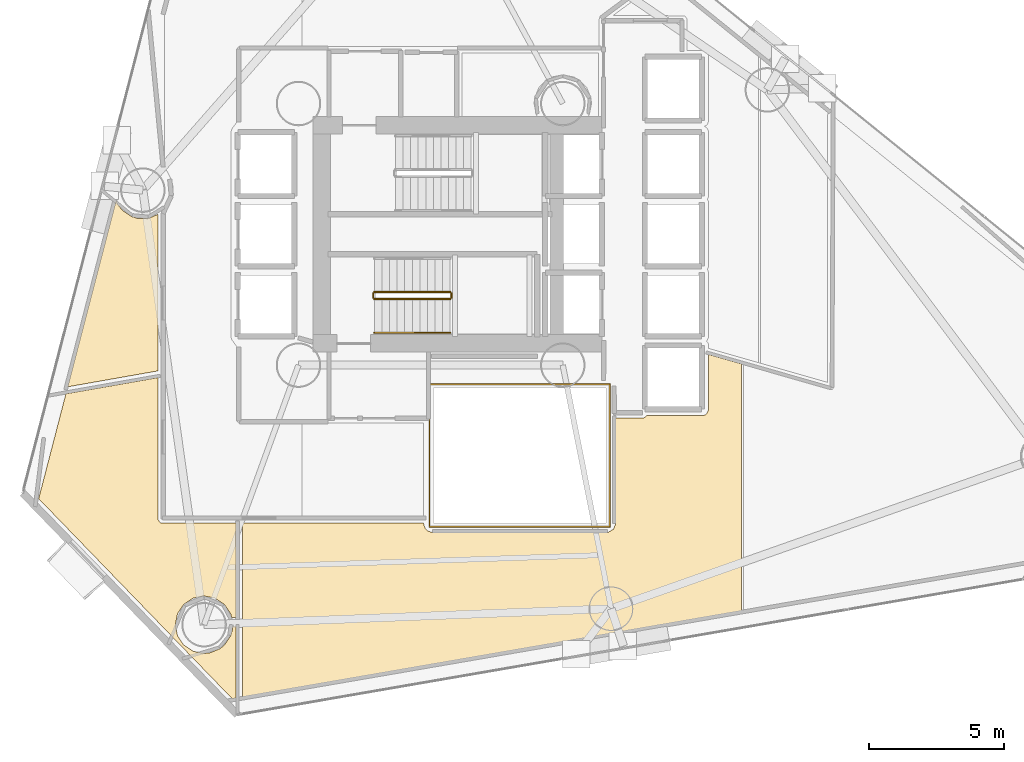
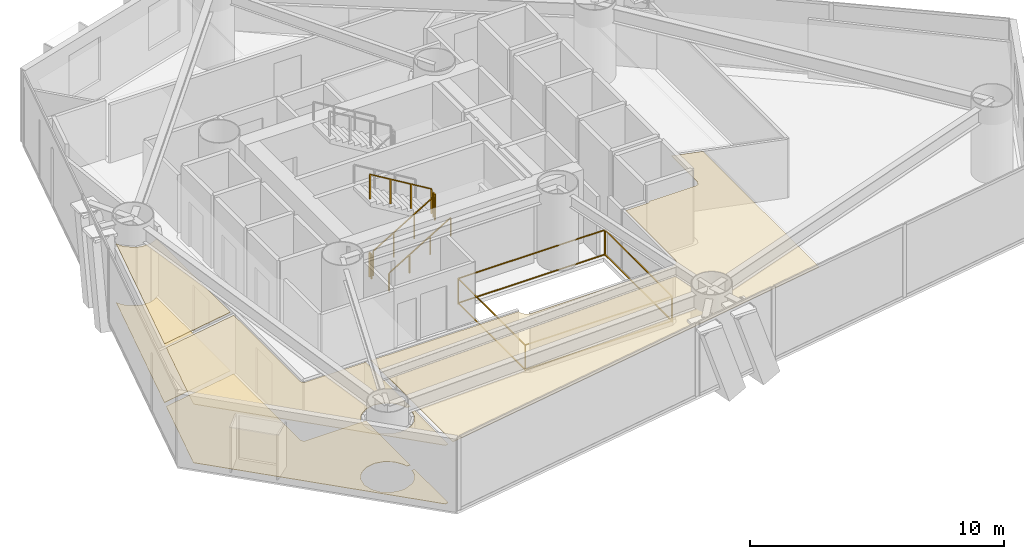
# One storey, part 20 of 23: 6 railings, 5 coverings.
"""IFC4 building model written with IfcOpenShell, lengths in metres."""

from ifc_helpers import new_model, si_unit, direction, frame, origin, origin_2d, place, context, subcontext, project, spatial, polyline, rectangle, outline, extrude, material, layer, layer_set, type_object, element, save


model = new_model("IFC4")

# Units and contexts
model_context = context("Model", 3, precision=1e-05, world=origin(), true_north=direction((0.0, 1.0)))
body_context = subcontext(model_context, "Body", "Model", "MODEL_VIEW")
ifc_project = project(units=[si_unit("LENGTHUNIT", "METRE"), si_unit("AREAUNIT", "SQUARE_METRE"), si_unit("VOLUMEUNIT", "CUBIC_METRE"), si_unit("PLANEANGLEUNIT", "RADIAN"), si_unit("MASSUNIT", "GRAM", prefix="KILO")], contexts=[model_context])

# Site, building, storey
site_placement = place(None, origin())
site = spatial("IfcSite", under=ifc_project, at=site_placement, CompositionType="ELEMENT")
building_placement = place(site_placement, origin())
building = spatial("IfcBuilding", under=site, at=building_placement, Name="Qianvela Tower", CompositionType="ELEMENT")
storey_placement = place(building_placement, frame((0.0, 0.0, 82.10009765625)))
storey = spatial("IfcBuildingStorey", under=building, at=storey_placement, Name="L20", CompositionType="ELEMENT", Elevation=82.10009765625)

# Coverings
ifc_material_1 = material(Name="Perforated Mineral Acoustic Ceiling Tile")
ifc_layer_1 = layer(ifc_material_1, 0.02490234375)
ifc_layer_set_1 = layer_set([ifc_layer_1], Name="Perforated Mineral Acoustic Ceiling Tile")
covering_type_1 = type_object("IfcCoveringType", Name="COV-CEIL-ACOUSTIC-25", PredefinedType="CEILING", material=ifc_layer_set_1)
covering_1_placement = place(storey_placement, frame((0.0, 0.0, 2.81494140625)))
element("IfcCovering", 1, at=covering_1_placement, inside=storey, type_object=covering_type_1, Name="L20 Acoustic Ceiling Debate Lecture Classroom L20-01", PredefinedType="CEILING", context=body_context, shape_type="SweptSolid", body=[
    extrude(outline(polyline([(23.452880859375, 18.031494140625), (23.45751953125, 18.025390625), (23.462890625, 18.01953125), (23.468505859375, 18.014404296875), (23.474853515625, 18.009521484375), (23.481689453125, 18.005615234375), (23.48876953125, 18.002197265625), (23.49609375, 17.99951171875), (23.503662109375, 17.99755859375), (23.511474609375, 17.99658203125), (23.519287109375, 17.99609375), (26.288330078125, 17.994384765625), (26.288330078125, 14.494140625), (26.1259765625, 14.49365234375), (26.086669921875, 14.625), (26.083984375, 14.63232421875), (26.08056640625, 14.6396484375), (26.076416015625, 14.646484375), (25.863037109375, 14.9658203125), (25.8583984375, 14.972412109375), (25.85302734375, 14.97802734375), (25.847412109375, 14.9833984375), (25.8408203125, 14.988037109375), (25.521484375, 15.201416015625), (25.5146484375, 15.20556640625), (25.507568359375, 15.208984375), (25.500244140625, 15.211669921875), (25.49267578125, 15.21337890625), (25.115478515625, 15.28857421875), (25.10791015625, 15.28955078125), (25.10009765625, 15.2900390625), (25.09228515625, 15.28955078125), (25.08447265625, 15.28857421875), (24.70751953125, 15.21337890625), (24.69970703125, 15.211669921875), (24.6923828125, 15.208984375), (24.685302734375, 15.20556640625), (24.6787109375, 15.201416015625), (24.359130859375, 14.988037109375), (24.352783203125, 14.9833984375), (24.346923828125, 14.97802734375), (24.341796875, 14.972412109375), (24.3369140625, 14.9658203125), (24.12353515625, 14.646484375), (24.119384765625, 14.6396484375), (24.1162109375, 14.632568359375), (24.11328125, 14.625244140625), (24.111572265625, 14.61767578125), (24.03662109375, 14.240478515625), (24.035400390625, 14.23291015625), (24.034912109375, 14.22509765625), (24.035400390625, 14.21728515625), (24.03662109375, 14.20947265625), (24.111572265625, 13.83251953125), (24.11328125, 13.82470703125), (24.1162109375, 13.8173828125), (24.119384765625, 13.810302734375), (24.12353515625, 13.8037109375), (24.3369140625, 13.484130859375), (24.341796875, 13.477783203125), (24.346923828125, 13.471923828125), (24.352783203125, 13.466796875), (24.359130859375, 13.4619140625), (24.6787109375, 13.24853515625), (24.685302734375, 13.244384765625), (24.6923828125, 13.2412109375), (24.69970703125, 13.23828125), (24.70751953125, 13.236572265625), (25.08447265625, 13.16162109375), (25.09228515625, 13.160400390625), (25.10009765625, 13.159912109375), (25.10791015625, 13.160400390625), (25.300048828125, 13.17919921875), (25.307861328125, 13.180419921875), (25.3154296875, 13.182373046875), (25.32275390625, 13.18505859375), (25.677978515625, 13.33203125), (25.684814453125, 13.33544921875), (25.691650390625, 13.339599609375), (25.697998046875, 13.34423828125), (25.847412109375, 13.466796875), (25.85302734375, 13.471923828125), (25.8583984375, 13.477783203125), (25.863037109375, 13.484130859375), (26.076416015625, 13.8037109375), (26.08056640625, 13.810302734375), (26.083984375, 13.8173828125), (26.086669921875, 13.82470703125), (26.142578125, 14.009521484375), (26.14453125, 14.017578125), (26.145751953125, 14.025634765625), (26.1572265625, 14.15380859375), (26.288330078125, 14.154052734375), (26.288330078125, 11.50830078125), (26.14111328125, 11.48291015625), (18.96630859375, 18.8984375), (19.97607421875, 22.7861328125), (23.389892578125, 23.38818359375), (23.389892578125, 18.14990234375), (23.390380859375, 18.14208984375), (23.3916015625, 18.134521484375), (23.393310546875, 18.126708984375), (23.39599609375, 18.119384765625), (23.3994140625, 18.1123046875), (23.403564453125, 18.105712890625), (23.452880859375, 18.031494140625)])), origin(), (0.0, 0.0, 1.0), 0.02490234375),
])
covering_2_placement = place(storey_placement, frame((0.0, 0.0, 2.81494140625)))
element("IfcCovering", 2, at=covering_2_placement, inside=storey, type_object=covering_type_1, Name="L20 Acoustic Ceiling Bay 1 Graduate Seminar Classroom L20-02", PredefinedType="CEILING", context=body_context, shape_type="SweptSolid", body=[
    extrude(outline(polyline([(26.5322265625, 11.55029296875), (26.5322265625, 17.989990234375), (33.243408203125, 17.989990234375), (33.24560546875, 17.94189453125), (33.24609375, 17.93505859375), (33.247314453125, 17.927978515625), (33.2490234375, 17.92138671875), (33.25146484375, 17.914794921875), (33.293212890625, 17.813720703125), (33.296630859375, 17.806640625), (33.30078125, 17.800048828125), (33.305419921875, 17.793701171875), (33.310546875, 17.787841796875), (33.387939453125, 17.710693359375), (33.39306640625, 17.705810546875), (33.398681640625, 17.70166015625), (33.40478515625, 17.69775390625), (33.410888671875, 17.694580078125), (33.41748046875, 17.69189453125), (33.545654296875, 17.64599609375), (33.55224609375, 17.64404296875), (33.558837890625, 17.642578125), (33.565673828125, 17.6416015625), (33.572509765625, 17.641357421875), (40.0546875, 17.6455078125), (40.063232421875, 17.64599609375), (40.07177734375, 17.647216796875), (40.080078125, 17.6494140625), (40.088134765625, 17.652587890625), (40.095703125, 17.65673828125), (40.257568359375, 17.75390625), (40.263671875, 17.7578125), (40.269287109375, 17.76220703125), (40.274658203125, 17.767333984375), (40.279296875, 17.77294921875), (40.28369140625, 17.77880859375), (40.287353515625, 17.78515625), (40.290283203125, 17.791748046875), (40.3525390625, 17.94189453125), (40.355224609375, 17.94921875), (40.357177734375, 17.956787109375), (40.3583984375, 17.964599609375), (40.358642578125, 17.972412109375), (40.360107421875, 21.889892578125), (41.367919921875, 21.890380859375), (41.375732421875, 21.890869140625), (41.383544921875, 21.891845703125), (41.39111328125, 21.893798828125), (41.3984375, 21.896484375), (41.405517578125, 21.89990234375), (41.45947265625, 21.9287109375), (41.46630859375, 21.932861328125), (41.472900390625, 21.9375), (41.478759765625, 21.943115234375), (41.48388671875, 21.948974609375), (41.48876953125, 21.955322265625), (41.492919921875, 21.96240234375), (41.49609375, 21.969482421875), (41.498779296875, 21.97705078125), (41.49951171875, 21.97998046875), (43.580078125, 21.97998046875), (43.587890625, 21.98046875), (43.595703125, 21.9814453125), (43.603271484375, 21.9833984375), (43.680908203125, 22.007080078125), (43.6884765625, 22.009765625), (43.695556640625, 22.012939453125), (43.7021484375, 22.01708984375), (43.70849609375, 22.021728515625), (43.71435546875, 22.027099609375), (43.719482421875, 22.03271484375), (43.724365234375, 22.0390625), (43.728271484375, 22.0458984375), (43.79052734375, 22.162353515625), (43.7939453125, 22.16943359375), (43.796630859375, 22.1767578125), (43.798583984375, 22.184326171875), (43.799560546875, 22.192138671875), (43.800048828125, 22.199951171875), (43.800048828125, 24.24658203125), (45.027587890625, 23.89501953125), (45.027587890625, 14.74267578125), (26.5322265625, 11.55029296875)])), origin(), (0.0, 0.0, 1.0), 0.02490234375),
])
covering_3_placement = place(storey_placement, frame((0.0, 0.0, 2.81494140625)))
element("IfcCovering", 3, at=covering_3_placement, inside=storey, type_object=covering_type_1, Name="L20 Acoustic Ceiling Graduate Seminar Classroom L20-06", PredefinedType="CEILING", context=body_context, shape_type="SweptSolid", body=[
    extrude(outline(polyline([(23.389892578125, 29.440185546875), (23.389892578125, 23.635986328125), (20.04345703125, 23.0458984375), (21.838623046875, 29.956787109375), (21.8408203125, 29.94677734375), (21.842529296875, 29.939453125), (21.84521484375, 29.93212890625), (21.848388671875, 29.92529296875), (21.939453125, 29.755126953125), (21.943603515625, 29.748291015625), (21.9482421875, 29.741943359375), (22.07080078125, 29.5927734375), (22.075927734375, 29.5869140625), (22.081787109375, 29.581787109375), (22.088134765625, 29.576904296875), (22.40771484375, 29.363525390625), (22.414306640625, 29.359375), (22.42138671875, 29.356201171875), (22.4287109375, 29.353515625), (22.613525390625, 29.29736328125), (22.62109375, 29.29541015625), (22.62890625, 29.294189453125), (22.63671875, 29.2939453125), (23.021240234375, 29.2939453125), (23.029052734375, 29.294189453125), (23.036865234375, 29.29541015625), (23.04443359375, 29.29736328125), (23.0517578125, 29.300048828125), (23.389892578125, 29.440185546875)])), origin(), (0.0, 0.0, 1.0), 0.02490234375),
])
ifc_material_2 = material(Name="Engineered Acoustic Oak Timber Flooring", Category="wood")
ifc_layer_2 = layer(ifc_material_2, 0.02001953125)
ifc_layer_set_2 = layer_set([ifc_layer_2], Name="Engineered Acoustic Oak Timber Flooring")
covering_type_2 = type_object("IfcCoveringType", Name="COV-FLOOR-OAK-20", PredefinedType="FLOORING", material=ifc_layer_set_2)
covering_4_placement = place(storey_placement, origin())
element("IfcCovering", 4, at=covering_4_placement, inside=storey, type_object=covering_type_2, Name="L20 Finish Flooring Debate Lecture Classroom L20-01", PredefinedType="FLOORING", context=body_context, shape_type="SweptSolid", body=[
    extrude(outline(polyline([(23.452880859375, 18.031494140625), (23.45751953125, 18.025390625), (23.462890625, 18.01953125), (23.468505859375, 18.014404296875), (23.474853515625, 18.009521484375), (23.481689453125, 18.005615234375), (23.48876953125, 18.002197265625), (23.49609375, 17.99951171875), (23.503662109375, 17.99755859375), (23.511474609375, 17.99658203125), (23.519287109375, 17.99609375), (26.288330078125, 17.994384765625), (26.288330078125, 14.494140625), (26.1259765625, 14.49365234375), (26.086669921875, 14.625), (26.083984375, 14.63232421875), (26.08056640625, 14.6396484375), (26.076416015625, 14.646484375), (25.863037109375, 14.9658203125), (25.8583984375, 14.972412109375), (25.85302734375, 14.97802734375), (25.847412109375, 14.9833984375), (25.8408203125, 14.988037109375), (25.521484375, 15.201416015625), (25.5146484375, 15.20556640625), (25.507568359375, 15.208984375), (25.500244140625, 15.211669921875), (25.49267578125, 15.21337890625), (25.115478515625, 15.28857421875), (25.10791015625, 15.28955078125), (25.10009765625, 15.2900390625), (25.09228515625, 15.28955078125), (25.08447265625, 15.28857421875), (24.70751953125, 15.21337890625), (24.69970703125, 15.211669921875), (24.6923828125, 15.208984375), (24.685302734375, 15.20556640625), (24.6787109375, 15.201416015625), (24.359130859375, 14.988037109375), (24.352783203125, 14.9833984375), (24.346923828125, 14.97802734375), (24.341796875, 14.972412109375), (24.3369140625, 14.9658203125), (24.12353515625, 14.646484375), (24.119384765625, 14.6396484375), (24.1162109375, 14.632568359375), (24.11328125, 14.625244140625), (24.111572265625, 14.61767578125), (24.03662109375, 14.240478515625), (24.035400390625, 14.23291015625), (24.034912109375, 14.22509765625), (24.035400390625, 14.21728515625), (24.03662109375, 14.20947265625), (24.111572265625, 13.83251953125), (24.11328125, 13.82470703125), (24.1162109375, 13.8173828125), (24.119384765625, 13.810302734375), (24.12353515625, 13.8037109375), (24.3369140625, 13.484130859375), (24.341796875, 13.477783203125), (24.346923828125, 13.471923828125), (24.352783203125, 13.466796875), (24.359130859375, 13.4619140625), (24.6787109375, 13.24853515625), (24.685302734375, 13.244384765625), (24.6923828125, 13.2412109375), (24.69970703125, 13.23828125), (24.70751953125, 13.236572265625), (25.08447265625, 13.16162109375), (25.09228515625, 13.160400390625), (25.10009765625, 13.159912109375), (25.10791015625, 13.160400390625), (25.300048828125, 13.17919921875), (25.307861328125, 13.180419921875), (25.3154296875, 13.182373046875), (25.32275390625, 13.18505859375), (25.677978515625, 13.33203125), (25.684814453125, 13.33544921875), (25.691650390625, 13.339599609375), (25.697998046875, 13.34423828125), (25.847412109375, 13.466796875), (25.85302734375, 13.471923828125), (25.8583984375, 13.477783203125), (25.863037109375, 13.484130859375), (26.076416015625, 13.8037109375), (26.08056640625, 13.810302734375), (26.083984375, 13.8173828125), (26.086669921875, 13.82470703125), (26.142578125, 14.009521484375), (26.14453125, 14.017578125), (26.145751953125, 14.025634765625), (26.1572265625, 14.15380859375), (26.288330078125, 14.154052734375), (26.288330078125, 11.50830078125), (26.14111328125, 11.48291015625), (18.96630859375, 18.8984375), (19.97607421875, 22.7861328125), (23.389892578125, 23.38818359375), (23.389892578125, 18.14990234375), (23.390380859375, 18.14208984375), (23.3916015625, 18.134521484375), (23.393310546875, 18.126708984375), (23.39599609375, 18.119384765625), (23.3994140625, 18.1123046875), (23.403564453125, 18.105712890625), (23.452880859375, 18.031494140625)])), origin(), (0.0, 0.0, 1.0), 0.02001953125),
])
covering_5_placement = place(storey_placement, origin())
element("IfcCovering", 5, at=covering_5_placement, inside=storey, type_object=covering_type_2, Name="L20 Finish Flooring Graduate Seminar Classroom L20-06", PredefinedType="FLOORING", context=body_context, shape_type="SweptSolid", body=[
    extrude(outline(polyline([(23.389892578125, 29.440185546875), (23.389892578125, 23.635986328125), (20.04345703125, 23.0458984375), (21.838623046875, 29.956787109375), (21.8408203125, 29.94677734375), (21.842529296875, 29.939453125), (21.84521484375, 29.93212890625), (21.848388671875, 29.92529296875), (21.939453125, 29.755126953125), (21.943603515625, 29.748291015625), (21.9482421875, 29.741943359375), (22.07080078125, 29.5927734375), (22.075927734375, 29.5869140625), (22.081787109375, 29.581787109375), (22.088134765625, 29.576904296875), (22.40771484375, 29.363525390625), (22.414306640625, 29.359375), (22.42138671875, 29.356201171875), (22.4287109375, 29.353515625), (22.613525390625, 29.29736328125), (22.62109375, 29.29541015625), (22.62890625, 29.294189453125), (22.63671875, 29.2939453125), (23.021240234375, 29.2939453125), (23.029052734375, 29.294189453125), (23.036865234375, 29.29541015625), (23.04443359375, 29.29736328125), (23.0517578125, 29.300048828125), (23.389892578125, 29.440185546875)])), origin(), (0.0, 0.0, 1.0), 0.02001953125),
])

# Railings
ifc_material_3 = material(Name="Laminated Safety Glass and Stainless Steel 316", Category="steel")
railing_type_1 = type_object("IfcRailingType", Name="RL-ATRIUM-GUARD-1250", PredefinedType="GUARDRAIL", material=ifc_material_3)
railing_1_placement = place(storey_placement, frame((33.4599609375, 17.860107421875, 0.0)))
element("IfcRailing", 6, at=railing_1_placement, inside=storey, type_object=railing_type_1, Name="L20 Atrium Edge Guardrail 1", PredefinedType="GUARDRAIL", context=body_context, shape_type="SweptSolid", body=[
    extrude(rectangle(XDim=0.050048828125, YDim=0.0400390625, at=origin_2d()), frame((0.0, 0.0, 1.22998046875), z_axis=(0.0, 1.0, 0.0), x_axis=(-1.0, 0.0, 0.0)), (0.0, 0.0, 1.0), 5.27978515625),
    extrude(rectangle(XDim=0.050048828125, YDim=0.0400390625, at=origin_2d()), frame((0.0, 0.0, 0.050048828125), z_axis=(0.0, 1.0, 0.0), x_axis=(-1.0, 0.0, 0.0)), (0.0, 0.0, 1.0), 5.27978515625),
    extrude(rectangle(XDim=0.050048828125, YDim=0.0400390625, at=origin_2d()), frame((0.0, 5.27978515625, 1.22998046875), z_axis=(1.0, 0.0, 0.0), x_axis=(0.0, 1.0, 0.0)), (0.0, 0.0, 1.0), 6.679931640625),
    extrude(rectangle(XDim=0.050048828125, YDim=0.0400390625, at=origin_2d()), frame((0.0, 5.27978515625, 0.050048828125), z_axis=(1.0, 0.0, 0.0), x_axis=(0.0, 1.0, 0.0)), (0.0, 0.0, 1.0), 6.679931640625),
    extrude(rectangle(XDim=0.050048828125, YDim=0.0400390625, at=origin_2d()), frame((6.679931640625, 5.27978515625, 1.22998046875), z_axis=(0.0, -1.0, 0.0), x_axis=(1.0, 0.0, 0.0)), (0.0, 0.0, 1.0), 5.27978515625),
    extrude(rectangle(XDim=0.050048828125, YDim=0.0400390625, at=origin_2d()), frame((6.679931640625, 5.27978515625, 0.050048828125), z_axis=(0.0, -1.0, 0.0), x_axis=(1.0, 0.0, 0.0)), (0.0, 0.0, 1.0), 5.27978515625),
    extrude(rectangle(XDim=0.050048828125, YDim=0.0400390625, at=origin_2d()), frame((6.679931640625, 0.0, 1.22998046875), z_axis=(-1.0, 0.0, 0.0), x_axis=(0.0, -1.0, 0.0)), (0.0, 0.0, 1.0), 6.679931640625),
    extrude(rectangle(XDim=0.050048828125, YDim=0.0400390625, at=origin_2d()), frame((6.679931640625, 0.0, 0.050048828125), z_axis=(-1.0, 0.0, 0.0), x_axis=(0.0, -1.0, 0.0)), (0.0, 0.0, 1.0), 6.679931640625),
    extrude(rectangle(XDim=0.050048828125, YDim=0.050048828125, at=origin_2d()), origin(), (0.0, 0.0, 1.0), 1.2099609375),
    extrude(rectangle(XDim=0.050048828125, YDim=0.050048828125, at=origin_2d()), frame((0.0, 5.27978515625, 0.0)), (0.0, 0.0, 1.0), 1.2099609375),
    extrude(rectangle(XDim=0.050048828125, YDim=0.050048828125, at=origin_2d()), frame((6.679931640625, 5.27978515625, 0.0)), (0.0, 0.0, 1.0), 1.2099609375),
    extrude(rectangle(XDim=0.050048828125, YDim=0.050048828125, at=origin_2d()), frame((6.679931640625, 0.0, 0.0)), (0.0, 0.0, 1.0), 1.2099609375),
])
ifc_material_4 = material(Name="Painted Tubular Steel Q355B", Category="steel")
railing_type_2 = type_object("IfcRailingType", Name="RL-STAIR-GUARD-1200", PredefinedType="GUARDRAIL", material=ifc_material_4)
railing_2_placement = place(storey_placement, frame((31.419921875, 26.300048828125, 0.16796875)))
element("IfcRailing", 7, at=railing_2_placement, inside=storey, type_object=railing_type_2, Name="L20 ST-2 stair guard 1", PredefinedType="GUARDRAIL", context=body_context, shape_type="SweptSolid", body=[
    extrude(rectangle(XDim=0.050048828125, YDim=0.0400390625, at=origin_2d()), frame((0.0, 0.0, 1.179931640625), z_axis=(0.857242210791, 0.0, 0.514913383045), x_axis=(0.0, 1.0, 0.0)), (0.0, 0.0, 1.0), 3.266357421875),
    extrude(rectangle(XDim=0.050048828125, YDim=0.050048828125, at=origin_2d()), origin(), (0.0, 0.0, 1.0), 1.159912109375),
    extrude(rectangle(XDim=0.050048828125, YDim=0.050048828125, at=origin_2d()), frame((0.933349609375, 0.0, 0.560546875)), (0.0, 0.0, 1.0), 1.159912109375),
    extrude(rectangle(XDim=0.050048828125, YDim=0.050048828125, at=origin_2d()), frame((1.86669921875, 0.0, 1.121337890625)), (0.0, 0.0, 1.0), 1.159912109375),
    extrude(rectangle(XDim=0.050048828125, YDim=0.050048828125, at=origin_2d()), frame((2.800048828125, 0.0, 1.681884765625)), (0.0, 0.0, 1.0), 1.159912109375),
])
railing_3_placement = place(storey_placement, frame((34.27001953125, 26.35009765625, 1.849853515625)))
element("IfcRailing", 8, at=railing_3_placement, inside=storey, type_object=railing_type_2, Name="L20 ST-2 stair guard 2", PredefinedType="GUARDRAIL", context=body_context, shape_type="SweptSolid", body=[
    extrude(rectangle(XDim=0.050048828125, YDim=0.0400390625, at=origin_2d()), frame((0.0, 0.0, 1.179931640625), z_axis=(0.0, 1.0, 0.0), x_axis=(-1.0, 0.0, 0.0)), (0.0, 0.0, 1.0), 0.159912109375),
    extrude(rectangle(XDim=0.050048828125, YDim=0.050048828125, at=origin_2d()), origin(), (0.0, 0.0, 1.0), 1.159912109375),
    extrude(rectangle(XDim=0.050048828125, YDim=0.050048828125, at=origin_2d()), frame((0.0, 0.159912109375, 0.0)), (0.0, 0.0, 1.0), 1.159912109375),
])
railing_4_placement = place(storey_placement, frame((34.219970703125, 26.56005859375, 2.01806640625)))
element("IfcRailing", 9, at=railing_4_placement, inside=storey, type_object=railing_type_2, Name="L20 ST-2 stair guard 3", PredefinedType="GUARDRAIL", context=body_context, shape_type="SweptSolid", body=[
    extrude(rectangle(XDim=0.050048828125, YDim=0.0400390625, at=origin_2d()), frame((0.0, 0.0, 1.179931640625), z_axis=(-0.857242210791, 0.0, 0.514913383045), x_axis=(0.0, -1.0, 0.0)), (0.0, 0.0, 1.0), 3.266357421875),
    extrude(rectangle(XDim=0.050048828125, YDim=0.050048828125, at=origin_2d()), origin(), (0.0, 0.0, 1.0), 1.159912109375),
    extrude(rectangle(XDim=0.050048828125, YDim=0.050048828125, at=origin_2d()), frame((-0.933349609375, 0.0, 0.560546875)), (0.0, 0.0, 1.0), 1.159912109375),
    extrude(rectangle(XDim=0.050048828125, YDim=0.050048828125, at=origin_2d()), frame((-1.86669921875, 0.0, 1.121337890625)), (0.0, 0.0, 1.0), 1.159912109375),
    extrude(rectangle(XDim=0.050048828125, YDim=0.050048828125, at=origin_2d()), frame((-2.800048828125, 0.0, 1.681884765625)), (0.0, 0.0, 1.0), 1.159912109375),
])
railing_5_placement = place(storey_placement, frame((31.3701171875, 26.35009765625, 0.0)))
element("IfcRailing", 10, at=railing_5_placement, inside=storey, type_object=railing_type_2, Name="L20 ST-2 stair guard 4", PredefinedType="GUARDRAIL", context=body_context, shape_type="SweptSolid", body=[
    extrude(rectangle(XDim=0.050048828125, YDim=0.0400390625, at=origin_2d()), frame((0.0, 0.0, 1.179931640625), z_axis=(0.0, 1.0, 0.0), x_axis=(-1.0, 0.0, 0.0)), (0.0, 0.0, 1.0), 0.159912109375),
    extrude(rectangle(XDim=0.050048828125, YDim=0.050048828125, at=origin_2d()), origin(), (0.0, 0.0, 1.0), 1.159912109375),
    extrude(rectangle(XDim=0.050048828125, YDim=0.050048828125, at=origin_2d()), frame((0.0, 0.159912109375, 0.0)), (0.0, 0.0, 1.0), 1.159912109375),
])
ifc_material_5 = material(Name="Brushed Stainless Steel 304", Category="steel")
railing_type_3 = type_object("IfcRailingType", Name="RL-STAIR-HANDRAIL-900", PredefinedType="HANDRAIL", material=ifc_material_5)
railing_6_placement = place(storey_placement, frame((31.419921875, 25.050048828125, 0.16796875)))
element("IfcRailing", 11, at=railing_6_placement, inside=storey, type_object=railing_type_3, Name="L20 ST-2 stair handrail 1", PredefinedType="HANDRAIL", context=body_context, shape_type="SweptSolid", body=[
    extrude(rectangle(XDim=0.050048828125, YDim=0.0400390625, at=origin_2d()), frame((0.0, 0.0, 0.8798828125), z_axis=(0.857242210791, 0.0, 0.514913383045), x_axis=(0.0, 1.0, 0.0)), (0.0, 0.0, 1.0), 3.266357421875),
    extrude(rectangle(XDim=0.050048828125, YDim=0.050048828125, at=origin_2d()), origin(), (0.0, 0.0, 1.0), 0.85986328125),
    extrude(rectangle(XDim=0.050048828125, YDim=0.050048828125, at=origin_2d()), frame((0.933349609375, 0.0, 0.560546875)), (0.0, 0.0, 1.0), 0.85986328125),
    extrude(rectangle(XDim=0.050048828125, YDim=0.050048828125, at=origin_2d()), frame((1.86669921875, 0.0, 1.121337890625)), (0.0, 0.0, 1.0), 0.85986328125),
    extrude(rectangle(XDim=0.050048828125, YDim=0.050048828125, at=origin_2d()), frame((2.800048828125, 0.0, 1.681884765625)), (0.0, 0.0, 1.0), 0.85986328125),
])

save(model, "model.ifc")
